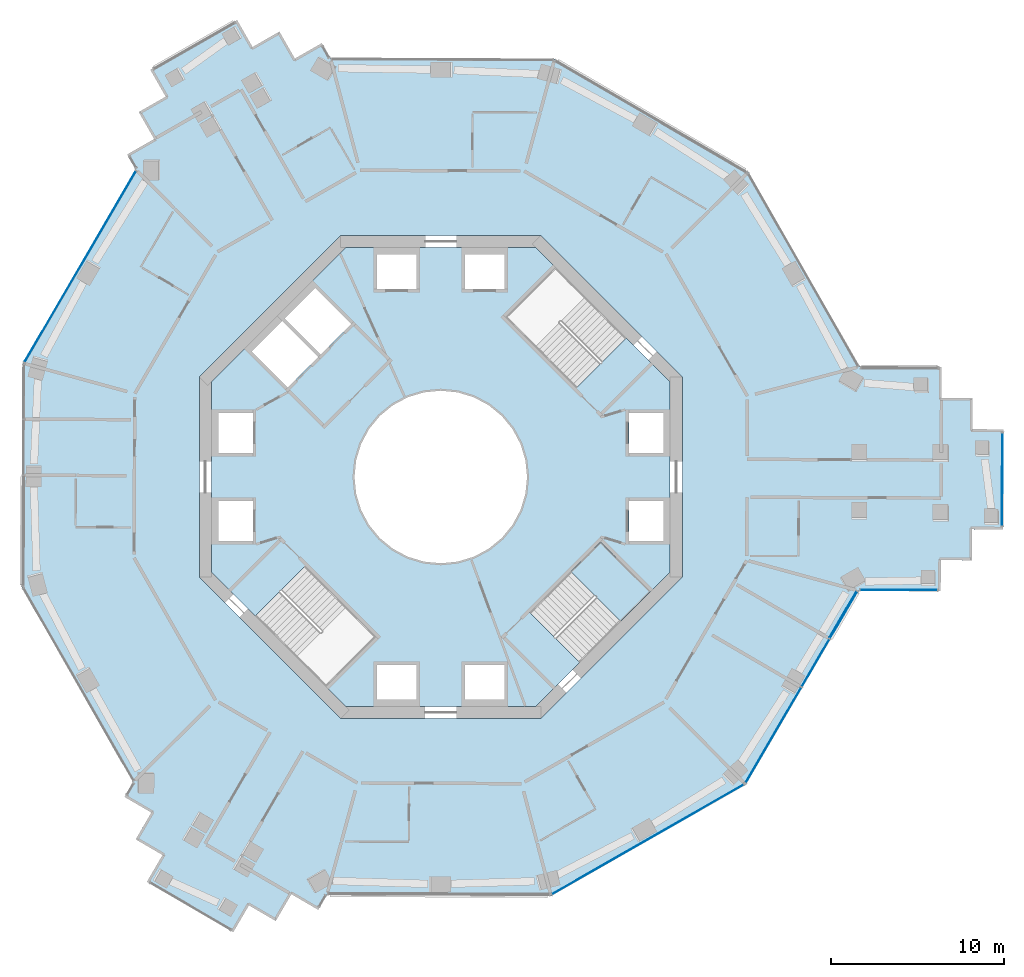
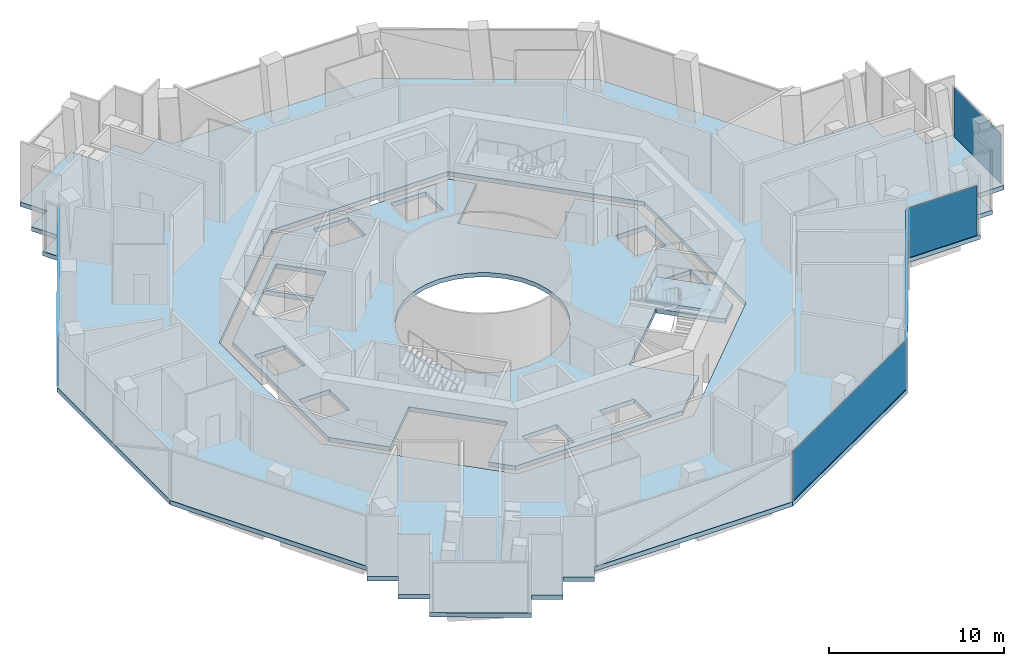
# One storey, part 8 of 16: 8 plates, 3 slabs, 6 elements without a shape of their own.
"""IFC4 building model written with IfcOpenShell, lengths in metres."""

import ifcopenshell
import ifcopenshell.guid

model = None  # the IFC model being written
_history = None  # IfcOwnerHistory: only IFC2X3 demands one
_inside = {}  # id of a spatial element -> (the spatial element, [elements in it])
_under = {}  # id of a project, library or spatial element -> (it, [spatial elements below it])
_declared = {}  # id of a project -> (the project, [libraries it declares])
_typed = {}  # id of a type object -> (the type object, [elements of that type])
_made_of = {}  # id of a material, layer set ... -> (it, [elements and type objects made of it])


def new_model(schema):
    """Start an empty IFC model of exactly this schema.

    Asked for "IFC4X3", IfcOpenShell would pick the latest addendum, in which some entities
    have other attributes; the version numbers below select the first issue.
    IFC2X3 requires an IfcOwnerHistory on every rooted entity: one is made here for all.
    """
    global model, _history
    if schema == "IFC4X3":
        model = ifcopenshell.file(schema_version=(4, 3, 0, 0))
    else:
        model = ifcopenshell.file(schema=schema)
    _inside.clear()
    _under.clear()
    _declared.clear()
    _typed.clear()
    _made_of.clear()
    _history = None
    if model.schema == "IFC2X3":
        org = make("IfcOrganization", Name="unknown")
        user = make(
            "IfcPersonAndOrganization",
            ThePerson=make("IfcPerson", FamilyName="unknown"),
            TheOrganization=org,
        )
        app = make(
            "IfcApplication",
            ApplicationDeveloper=org,
            Version="unknown",
            ApplicationFullName="unknown",
            ApplicationIdentifier="unknown",
        )
        _history = make(
            "IfcOwnerHistory",
            OwningUser=user,
            OwningApplication=app,
            ChangeAction="ADDED",
            CreationDate=0,
        )
    return model


def make(cls, **values):
    """One entity of the class cls with the attributes given. An attribute that is None is left unset."""
    return model.create_entity(
        cls, **{name: value for name, value in values.items() if value is not None}
    )


def rooted(cls, **values):
    """An entity with a GlobalId (a new one), such as an element, a storey or a relation."""
    return make(cls, GlobalId=ifcopenshell.guid.new(), OwnerHistory=_history, **values)


def si_unit(unit_type, name, prefix=None):
    """IfcSIUnit, for example si_unit("LENGTHUNIT", "METRE", prefix="MILLI")."""
    return make("IfcSIUnit", UnitType=unit_type, Prefix=prefix, Name=name)


def assignment(units):
    """IfcUnitAssignment: the units of a project."""
    return None if units is None else make("IfcUnitAssignment", Units=units)


def point(xyz):
    """IfcCartesianPoint."""
    return None if xyz is None else make("IfcCartesianPoint", Coordinates=xyz)


def direction(xyz):
    """IfcDirection."""
    return None if xyz is None else make("IfcDirection", DirectionRatios=xyz)


def frame(location, z_axis=None, x_axis=None):
    """IfcAxis2Placement3D, a coordinate frame: its origin and axes. An axis left out is left unset."""
    return make(
        "IfcAxis2Placement3D",
        Location=point(location),
        Axis=direction(z_axis),
        RefDirection=direction(x_axis),
    )


def frame_2d(location, x_axis=None):
    """IfcAxis2Placement2D, a coordinate frame in the plane: its origin and x axis."""
    return make(
        "IfcAxis2Placement2D", Location=point(location), RefDirection=direction(x_axis)
    )


def origin():
    """The frame at (0, 0, 0) with its axes left unset."""
    return frame((0.0, 0.0, 0.0))


def origin_2d():
    """The frame at (0, 0) in the plane with its x axis left unset."""
    return frame_2d((0.0, 0.0))


def place(relative_to, where):
    """IfcLocalPlacement: puts the frame where relative to a parent placement (None: the world)."""
    return make(
        "IfcLocalPlacement", PlacementRelTo=relative_to, RelativePlacement=where
    )


def context(
    kind, dimensions, precision=None, world=None, true_north=None, identifier=None
):
    """IfcGeometricRepresentationContext, for example the 3D "Model" context."""
    return make(
        "IfcGeometricRepresentationContext",
        ContextIdentifier=identifier,
        ContextType=kind,
        CoordinateSpaceDimension=dimensions,
        Precision=precision,
        WorldCoordinateSystem=world,
        TrueNorth=true_north,
    )


def subcontext(parent, identifier, kind, view, scale=None):
    """IfcGeometricRepresentationSubContext, for example "Body" below "Model"."""
    return make(
        "IfcGeometricRepresentationSubContext",
        ContextIdentifier=identifier,
        ContextType=kind,
        ParentContext=parent,
        TargetScale=scale,
        TargetView=view,
    )


def project(units=None, contexts=None):
    """IfcProject with its units and contexts."""
    return rooted(
        "IfcProject",
        Name="project",
        RepresentationContexts=contexts,
        UnitsInContext=assignment(units),
    )


def spatial(cls, under=None, at=None, **own):
    """A site, building, storey or space (cls), placed at a placement, below another one or the project."""
    s = rooted(cls, ObjectPlacement=at, **own)
    if under is not None:
        _under.setdefault(under.id(), (under, []))[1].append(s)
    return s


def polyline(points):
    """IfcPolyline through the points."""
    return make("IfcPolyline", Points=[point(p) for p in points])


def profile(cls, at=None, kind="AREA", **sizes):
    """A parametric profile (cls). Its sizes go by their IFC names, for example OverallWidth=200.0."""
    return make(cls, ProfileType=kind, Position=at, **sizes)


def rectangle(**sizes):
    """IfcRectangleProfileDef."""
    return profile("IfcRectangleProfileDef", **sizes)


def outline(outer, holes=None, kind="AREA"):
    """IfcArbitraryClosedProfileDef: a profile drawn as a closed curve; with holes, ...WithVoids."""
    if holes is None:
        return make("IfcArbitraryClosedProfileDef", ProfileType=kind, OuterCurve=outer)
    return make(
        "IfcArbitraryProfileDefWithVoids",
        ProfileType=kind,
        OuterCurve=outer,
        InnerCurves=holes,
    )


def extrude(swept, where, along, depth):
    """IfcExtrudedAreaSolid: the profile swept, set in the frame where, extruded along a direction by depth."""
    return make(
        "IfcExtrudedAreaSolid",
        SweptArea=swept,
        Position=where,
        ExtrudedDirection=direction(along),
        Depth=depth,
    )


def shape(context_of_items, identifier, shape_type, items):
    """IfcShapeRepresentation: the items that make up one representation, for example the "Body"."""
    return make(
        "IfcShapeRepresentation",
        ContextOfItems=context_of_items,
        RepresentationIdentifier=identifier,
        RepresentationType=shape_type,
        Items=items,
    )


def material(Name=None, Category=None):
    """IfcMaterial."""
    return make("IfcMaterial", Name=Name, Category=Category)


def layer(
    of_material, thickness, ventilated=None, Name=None, Category=None, Priority=None
):
    """IfcMaterialLayer: one layer of a wall or slab, of a material (None: an air gap)."""
    return make(
        "IfcMaterialLayer",
        Material=of_material,
        LayerThickness=thickness,
        IsVentilated=ventilated,
        Name=Name,
        Category=Category,
        Priority=Priority,
    )


def layer_set(layers, Name=None):
    """IfcMaterialLayerSet."""
    return make("IfcMaterialLayerSet", MaterialLayers=layers, LayerSetName=Name)


def made_of(thing, what):
    """Note that an element or type object is made of a material, layer set ...; save() writes the relation."""
    if what is not None:
        _made_of.setdefault(what.id(), (what, []))[1].append(thing)
    return thing


def type_object(cls, material=None, **own):
    """A type object (cls), such as IfcWallType, which elements share."""
    return made_of(rooted(cls, **own), material)


def element(
    cls,
    number,
    at=None,
    inside=None,
    cuts=None,
    type_object=None,
    material=None,
    context=None,
    identifier="Body",
    shape_type=None,
    held_by="IfcProductDefinitionShape",
    body=None,
    shapes=None,
    **own,
):
    """One element of the class cls, such as IfcWall. Its Tag is "e" and its number.

    at: its placement. inside: the storey or other place that contains it. cuts: it is an
    opening in that element (IfcRelVoidsElement). A single representation is given by context,
    identifier, shape_type and body (its items); several are given by shapes. held_by: the class
    of the entity that holds the representations. save() writes the other relations.
    """
    e = rooted(cls, Tag="e%d" % number, ObjectPlacement=at, **own)
    if body is not None:
        shapes = [shape(context, identifier, shape_type, body)]
    if shapes is not None:
        e.Representation = make(held_by, Representations=shapes)
    if inside is not None:
        _inside.setdefault(inside.id(), (inside, []))[1].append(e)
    if cuts is not None:
        rooted(
            "IfcRelVoidsElement", RelatingBuildingElement=cuts, RelatedOpeningElement=e
        )
    if type_object is not None:
        _typed.setdefault(type_object.id(), (type_object, []))[1].append(e)
    return made_of(e, material)


def aggregate(whole, parts):
    """IfcRelAggregates: a whole, such as a stair, and the parts it consists of."""
    return rooted("IfcRelAggregates", RelatingObject=whole, RelatedObjects=parts)


def save(model, path):
    """Write the relations noted so far, then the file.

    IfcRelAggregates (storeys below a building ...), IfcRelContainedInSpatialStructure (elements
    in a storey), IfcRelDefinesByType, IfcRelAssociatesMaterial and IfcRelDeclares: one each for
    every whole, place, type object, material and project.
    """
    for whole, parts in _under.values():
        aggregate(whole, parts)
    for where, things in _inside.values():
        rooted(
            "IfcRelContainedInSpatialStructure",
            RelatedElements=things,
            RelatingStructure=where,
        )
    for kind, things in _typed.values():
        rooted("IfcRelDefinesByType", RelatedObjects=things, RelatingType=kind)
    for what, things in _made_of.values():
        rooted("IfcRelAssociatesMaterial", RelatedObjects=things, RelatingMaterial=what)
    for by, libraries in _declared.values():
        rooted("IfcRelDeclares", RelatingContext=by, RelatedDefinitions=libraries)
    model.write(path)


model = new_model("IFC4")

# Units and contexts
model_context = context("Model", 3, precision=1e-05, world=origin(), true_north=direction((0.0, 1.0)))
body_context = subcontext(model_context, "Body", "Model", "MODEL_VIEW")
ifc_project = project(units=[si_unit("LENGTHUNIT", "METRE"), si_unit("AREAUNIT", "SQUARE_METRE"), si_unit("VOLUMEUNIT", "CUBIC_METRE"), si_unit("PLANEANGLEUNIT", "RADIAN"), si_unit("MASSUNIT", "GRAM", prefix="KILO")], contexts=[model_context])

# Site, building, storey
site_placement = place(None, origin())
site = spatial("IfcSite", under=ifc_project, at=site_placement, CompositionType="ELEMENT")
building_placement = place(site_placement, origin())
building = spatial("IfcBuilding", under=site, at=building_placement, Name="Verdalira Terraces Hotel", CompositionType="ELEMENT")
storey_placement = place(building_placement, frame((0.0, 0.0, 154.0)))
storey = spatial("IfcBuildingStorey", under=building, at=storey_placement, Name="L37", CompositionType="ELEMENT", Elevation=154.0)

# Curtain wall, plate
ifc_material_1 = material(Name="Clear glass", Category="glass")
ifc_layer_1 = layer(ifc_material_1, 0.179931640625)
ifc_layer_set_1 = layer_set([ifc_layer_1], Name="CW4 curtain wall")
curtain_wall_type = type_object("IfcCurtainWallType", Name="CW4 curtain wall", PredefinedType="NOTDEFINED", material=ifc_layer_set_1)
curtain_wall_1_placement = place(storey_placement, origin())
curtain_wall_1 = element("IfcCurtainWall", 1, at=curtain_wall_1_placement, inside=storey, type_object=curtain_wall_type, Name="CW4 curtain wall L37 edge 11", PredefinedType="NOTDEFINED")
ifc_material_2 = material(Name="Clear glass", Category="glass")
ifc_layer_2 = layer(ifc_material_2, 0.035888671875)
ifc_layer_set_2 = layer_set([ifc_layer_2], Name="CW4 glass unit 36")
plate_type = type_object("IfcPlateType", Name="CW4 glass unit 36", PredefinedType="CURTAIN_PANEL", material=ifc_layer_set_2)
plate_1_placement = place(storey_placement, frame((-20.899658, 12.196777, 0.0), z_axis=(0.0, 0.0, 1.0), x_axis=(-0.503623202, -0.863923417, 0.0)))
plate_1 = element("IfcPlate", 2, at=plate_1_placement, type_object=plate_type, Name="CW4 glass unit", PredefinedType="CURTAIN_PANEL", context=body_context, shape_type="SweptSolid", body=[
    extrude(rectangle(XDim=12.8125, YDim=0.035889, at=origin_2d()), origin(), (0.0, 0.0, 1.0), 3.469971),
])
aggregate(curtain_wall_1, [plate_1])

curtain_wall_2_placement = place(storey_placement, origin())
curtain_wall_2 = element("IfcCurtainWall", 3, at=curtain_wall_2_placement, inside=storey, type_object=curtain_wall_type, Name="CW4 curtain wall L37 edge 26", PredefinedType="NOTDEFINED")
plate_2_placement = place(storey_placement, frame((12.01123, -21.006836, 0.0), z_axis=(0.0, 0.0, 1.0), x_axis=(0.868112195, 0.496368025, 0.0)))
plate_2 = element("IfcPlate", 4, at=plate_2_placement, type_object=plate_type, Name="CW4 glass unit", PredefinedType="CURTAIN_PANEL", context=body_context, shape_type="SweptSolid", body=[
    extrude(rectangle(XDim=12.789551, YDim=0.035889, at=origin_2d()), origin(), (0.0, 0.0, 1.0), 3.469971),
])
aggregate(curtain_wall_2, [plate_2])

# Curtain wall, plates
curtain_wall_3_placement = place(storey_placement, origin())
curtain_wall_3 = element("IfcCurtainWall", 5, at=curtain_wall_3_placement, inside=storey, type_object=curtain_wall_type, Name="CW4 curtain wall L37 edge 27", PredefinedType="NOTDEFINED")
plate_3_placement = place(storey_placement, frame((19.287109, -14.963135, 0.0), z_axis=(0.0, 0.0, 1.0), x_axis=(0.503623202, 0.863923417, 0.0)))
plate_3 = element("IfcPlate", 6, at=plate_3_placement, type_object=plate_type, Name="CW4 glass unit", PredefinedType="CURTAIN_PANEL", context=body_context, shape_type="SweptSolid", body=[
    extrude(rectangle(XDim=6.362305, YDim=0.035889, at=origin_2d()), origin(), (0.0, 0.0, 1.0), 3.469971),
])
plate_4_placement = place(storey_placement, frame((21.723877, -10.782959, 0.0), z_axis=(0.0, 0.0, 1.0), x_axis=(0.503623202, 0.863923417, 0.0)))
plate_4 = element("IfcPlate", 7, at=plate_4_placement, type_object=plate_type, Name="CW4 glass unit", PredefinedType="CURTAIN_PANEL", context=body_context, shape_type="SweptSolid", body=[
    extrude(rectangle(XDim=3.185059, YDim=0.035889, at=origin_2d()), origin(), (0.0, 0.0, 1.0), 3.469971),
])
plate_5_placement = place(storey_placement, frame((23.332764, -7.987793, 1.735107), z_axis=(0.863923417, -0.503623202, 0.0), x_axis=(0.503623202, 0.863923417, 0.0)))
plate_5 = element("IfcPlate", 8, at=plate_5_placement, type_object=plate_type, Name="CW4 glass unit", PredefinedType="CURTAIN_PANEL", context=body_context, shape_type="SweptSolid", body=[
    extrude(outline(polyline([(-1.567627, -1.734863), (1.567627, -1.734863), (1.567627, 1.734863), (-1.567627, -1.734863)])), origin(), (0.0, 0.0, 1.0), 0.035889),
])
plate_6_placement = place(storey_placement, frame((23.300537, -7.968994, 1.735107), z_axis=(0.863923417, -0.503623202, 0.0), x_axis=(0.503623202, 0.863923417, 0.0)))
plate_6 = element("IfcPlate", 9, at=plate_6_placement, type_object=plate_type, Name="CW4 glass unit", PredefinedType="CURTAIN_PANEL", context=body_context, shape_type="SweptSolid", body=[
    extrude(outline(polyline([(-1.567627, -1.734863), (1.567627, 1.734863), (-1.567627, 1.734863), (-1.567627, -1.734863)])), origin(), (0.0, 0.0, 1.0), 0.035889),
])
aggregate(curtain_wall_3, [plate_3, plate_4, plate_5, plate_6])

# Curtain wall, plate
curtain_wall_4_placement = place(storey_placement, origin())
curtain_wall_4 = element("IfcCurtainWall", 10, at=curtain_wall_4_placement, inside=storey, type_object=curtain_wall_type, Name="CW4 curtain wall L37 edge 28", PredefinedType="NOTDEFINED")
plate_7_placement = place(storey_placement, frame((26.540039, -6.55127, 0.0), z_axis=(0.0, 0.0, 1.0), x_axis=(0.999991227, -0.004188778, 0.0)))
plate_7 = element("IfcPlate", 11, at=plate_7_placement, type_object=plate_type, Name="CW4 glass unit", PredefinedType="CURTAIN_PANEL", context=body_context, shape_type="SweptSolid", body=[
    extrude(rectangle(XDim=4.453369, YDim=0.035889, at=origin_2d()), origin(), (0.0, 0.0, 1.0), 3.469971),
])
aggregate(curtain_wall_4, [plate_7])

curtain_wall_5_placement = place(storey_placement, origin())
curtain_wall_5 = element("IfcCurtainWall", 12, at=curtain_wall_5_placement, inside=storey, type_object=curtain_wall_type, Name="CW4 curtain wall L37 edge 33", PredefinedType="NOTDEFINED")
plate_8_placement = place(storey_placement, frame((32.548828, -0.13623, 0.0), z_axis=(0.0, 0.0, 1.0), x_axis=(0.004188778, 0.999991227, 0.0)))
plate_8 = element("IfcPlate", 13, at=plate_8_placement, type_object=plate_type, Name="CW4 glass unit", PredefinedType="CURTAIN_PANEL", context=body_context, shape_type="SweptSolid", body=[
    extrude(rectangle(XDim=5.370117, YDim=0.035889, at=origin_2d()), origin(), (0.0, 0.0, 1.0), 3.469971),
])
aggregate(curtain_wall_5, [plate_8])

# Slab
ifc_material_3 = material(Name="Concrete C40", Category="concrete")
ifc_layer_3 = layer(ifc_material_3, 0.31005859375)
ifc_layer_set_3 = layer_set([ifc_layer_3], Name="Core floor slab 310 mm")
slab_type_1 = type_object("IfcSlabType", Name="Core floor slab 310 mm", PredefinedType="FLOOR", material=ifc_layer_set_3)
slab_1_placement = place(storey_placement, frame((0.0, 0.0, -0.310059)))
element("IfcSlab", 14, at=slab_1_placement, inside=storey, type_object=slab_type_1, Name="L37 core floor", PredefinedType="FLOOR", context=body_context, shape_type="SweptSolid", body=[
    extrude(outline(polyline([(-5.509033, 13.300049), (5.509033, 13.300049), (6.632812, 12.176514), (3.719482, 9.263184), (7.834473, 5.148193), (10.747803, 8.061279), (13.300049, 5.509033), (13.300049, -5.509033), (12.176514, -6.632812), (9.263184, -3.719482), (5.148193, -7.834473), (8.061279, -10.747803), (5.509033, -13.300049), (-5.509033, -13.300049), (-6.632812, -12.176514), (-3.719482, -9.263184), (-7.834473, -5.148193), (-10.747803, -8.061279), (-13.300049, -5.509033), (-13.300049, 5.509033), (-5.509033, 13.300049)]), holes=[polyline([(12.899902, -3.699951), (12.899902, -1.399902), (10.899902, -1.399902), (10.899902, -3.699951), (12.899902, -3.699951)]), polyline([(12.899902, 1.399902), (12.899902, 3.699951), (10.899902, 3.699951), (10.899902, 1.399902), (12.899902, 1.399902)]), polyline([(1.399902, 10.899902), (3.699951, 10.899902), (3.699951, 12.899902), (1.399902, 12.899902), (1.399902, 10.899902)]), polyline([(-3.699951, 10.899902), (-1.399902, 10.899902), (-1.399902, 12.899902), (-3.699951, 12.899902), (-3.699951, 10.899902)]), polyline([(-12.899902, 3.699951), (-12.899902, 1.399902), (-10.899902, 1.399902), (-10.899902, 3.699951), (-12.899902, 3.699951)]), polyline([(-12.899902, -1.399902), (-12.899902, -3.699951), (-10.899902, -3.699951), (-10.899902, -1.399902), (-12.899902, -1.399902)]), polyline([(-1.399902, -10.899902), (-3.699951, -10.899902), (-3.699951, -12.899902), (-1.399902, -12.899902), (-1.399902, -10.899902)]), polyline([(3.699951, -10.899902), (1.399902, -10.899902), (1.399902, -12.899902), (3.699951, -12.899902), (3.699951, -10.899902)]), polyline([(-9.051025, 9.192383), (-6.965088, 7.106445), (-5.197266, 8.874268), (-7.283203, 10.960205), (-9.051025, 9.192383)]), polyline([(-9.192383, 9.051025), (-10.960205, 7.283203), (-8.874268, 5.197266), (-7.106445, 6.965088), (-9.192383, 9.051025)]), polyline([(3.5354, 3.5354), (2.777832, 4.157227), (1.91333, 4.619385), (0.975586, 4.903809), (0.0, 5.0), (-0.975586, 4.903809), (-1.91333, 4.619385), (-2.777832, 4.157227), (-3.5354, 3.5354), (-4.157227, 2.777832), (-4.619385, 1.91333), (-4.903809, 0.975586), (-5.0, 0.0), (-4.903809, -0.975586), (-4.619385, -1.91333), (-4.157227, -2.777832), (-3.5354, -3.5354), (-2.777832, -4.157227), (-1.91333, -4.619385), (-0.975586, -4.903809), (0.0, -5.0), (0.975586, -4.903809), (1.91333, -4.619385), (2.777832, -4.157227), (3.5354, -3.5354), (4.157227, -2.777832), (4.619385, -1.91333), (4.903809, -0.975586), (5.0, 0.0), (4.903809, 0.975586), (4.619385, 1.91333), (4.157227, 2.777832), (3.5354, 3.5354)])]), origin(), (0.0, 0.0, 1.0), 0.310059),
])

# Stair, slab
ifc_material_4 = material(Name="Concrete C40", Category="concrete")
stair_type = type_object("IfcStairType", Name="Core stair 26 risers 2000 mm wide", PredefinedType="HALF_TURN_STAIR", material=ifc_material_4)
stair_placement = place(storey_placement, origin())
stair = element("IfcStair", 15, at=stair_placement, inside=storey, type_object=stair_type, Name="L37 Exit stair ST3", PredefinedType="HALF_TURN_STAIR")
ifc_material_5 = material(Name="Concrete C40", Category="concrete")
ifc_layer_4 = layer(ifc_material_5, 0.199951171875)
ifc_layer_set_4 = layer_set([ifc_layer_4], Name="Core stair landing 200 mm")
slab_type_2 = type_object("IfcSlabType", Name="Core stair landing 200 mm", PredefinedType="LANDING", material=ifc_layer_set_4)
slab_2_placement = place(storey_placement, frame((0.0, 0.0, 2.050049)))
slab_2 = element("IfcSlab", 16, at=slab_2_placement, type_object=slab_type_2, Name="ST3 landing 1", PredefinedType="LANDING", context=body_context, shape_type="SweptSolid", body=[
    extrude(outline(polyline([(10.436523, -8.372559), (12.162354, -6.646729), (9.263184, -3.747559), (7.537354, -5.473389), (10.436523, -8.372559)])), origin(), (0.0, 0.0, 1.0), 0.199951),
])
aggregate(stair, [slab_2])

# Slab
ifc_material_6 = material(Name="Concrete C40", Category="concrete")
ifc_layer_5 = layer(ifc_material_6, 0.31005859375)
ifc_layer_set_5 = layer_set([ifc_layer_5], Name="Floor slab 310 C40")
slab_type_3 = type_object("IfcSlabType", Name="Floor slab 310 C40", PredefinedType="FLOOR", material=ifc_layer_set_5)
slab_3_placement = place(storey_placement, frame((0.0, 0.0, -0.310059)))
element("IfcSlab", 17, at=slab_3_placement, inside=storey, type_object=slab_type_3, Name="Floor slab L37", PredefinedType="FLOOR", context=body_context, shape_type="SweptSolid", body=[
    extrude(outline(polyline([(6.601562, 24.230957), (-6.398193, 24.2854), (-6.894775, 25.153564), (-8.457275, 24.26001), (-9.35083, 25.82251), (-10.91333, 24.929199), (-11.806885, 26.491699), (-16.841797, 23.612793), (-15.948486, 22.050293), (-17.510986, 21.156738), (-16.617676, 19.593994), (-18.180176, 18.700684), (-17.683838, 17.83252), (-24.230957, 6.601562), (-24.2854, -6.398193), (-17.83252, -17.683838), (-18.336182, -18.547607), (-16.781006, -19.454102), (-17.6875, -21.009277), (-16.132568, -21.915771), (-17.039062, -23.470947), (-12.02832, -26.391846), (-11.121826, -24.836914), (-9.566895, -25.743408), (-8.660156, -24.188232), (-7.105225, -25.094727), (-6.601562, -24.230957), (6.398193, -24.2854), (17.683838, -17.83252), (24.230957, -6.601562), (28.981445, -6.621582), (28.989014, -4.821533), (30.789062, -4.829102), (30.796631, -3.029053), (32.59668, -3.036621), (32.62085, 2.763428), (30.820801, 2.770996), (30.828369, 4.570801), (29.02832, 4.578369), (29.035889, 6.378418), (24.2854, 6.398193), (17.83252, 17.683838), (6.601562, 24.230957)]), holes=[polyline([(5.799072, 14.0), (14.0, 5.799072), (14.0, -5.799072), (5.799072, -14.0), (-5.799072, -14.0), (-14.0, -5.799072), (-14.0, 5.799072), (-5.799072, 14.0), (5.799072, 14.0)])]), origin(), (0.0, 0.0, 1.0), 0.310059),
])

save(model, "model.ifc")
